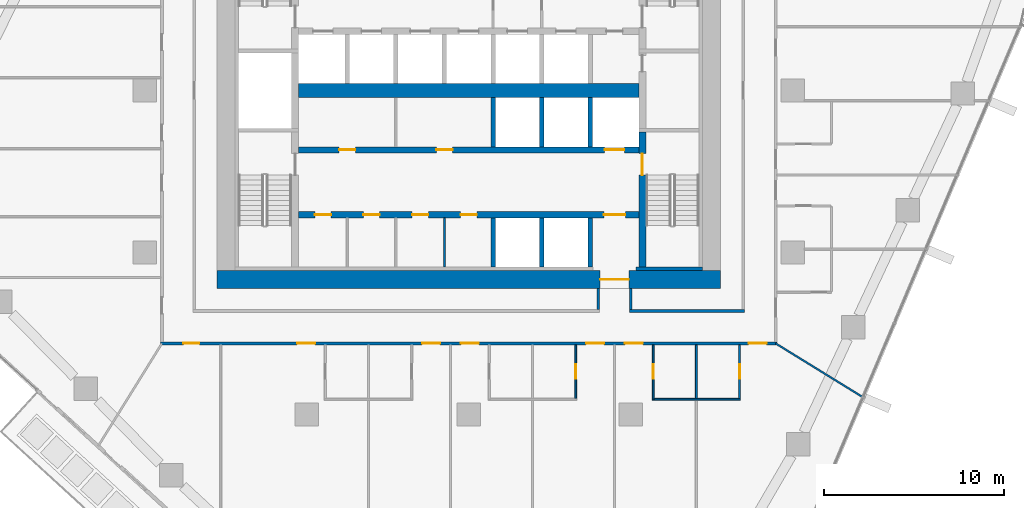
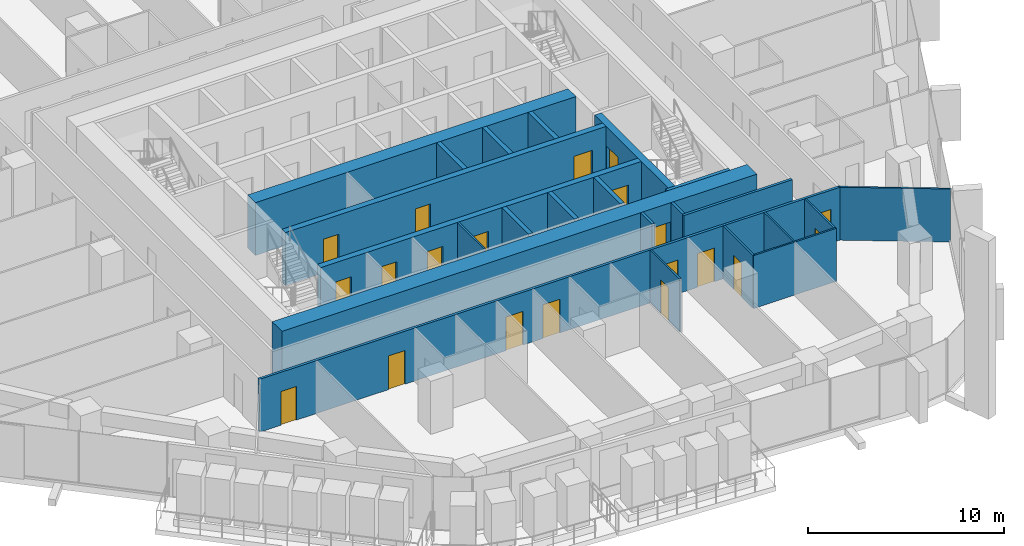
# One storey, part 13 of 24: 23 walls, 20 doors, 20 openings.
"""IFC4 building model written with IfcOpenShell, lengths in metres."""

import ifcopenshell
import ifcopenshell.guid

model = None  # the IFC model being written
_history = None  # IfcOwnerHistory: only IFC2X3 demands one
_inside = {}  # id of a spatial element -> (the spatial element, [elements in it])
_under = {}  # id of a project, library or spatial element -> (it, [spatial elements below it])
_declared = {}  # id of a project -> (the project, [libraries it declares])
_typed = {}  # id of a type object -> (the type object, [elements of that type])
_made_of = {}  # id of a material, layer set ... -> (it, [elements and type objects made of it])


def new_model(schema):
    """Start an empty IFC model of exactly this schema.

    Asked for "IFC4X3", IfcOpenShell would pick the latest addendum, in which some entities
    have other attributes; the version numbers below select the first issue.
    IFC2X3 requires an IfcOwnerHistory on every rooted entity: one is made here for all.
    """
    global model, _history
    if schema == "IFC4X3":
        model = ifcopenshell.file(schema_version=(4, 3, 0, 0))
    else:
        model = ifcopenshell.file(schema=schema)
    _inside.clear()
    _under.clear()
    _declared.clear()
    _typed.clear()
    _made_of.clear()
    _history = None
    if model.schema == "IFC2X3":
        org = make("IfcOrganization", Name="unknown")
        user = make(
            "IfcPersonAndOrganization",
            ThePerson=make("IfcPerson", FamilyName="unknown"),
            TheOrganization=org,
        )
        app = make(
            "IfcApplication",
            ApplicationDeveloper=org,
            Version="unknown",
            ApplicationFullName="unknown",
            ApplicationIdentifier="unknown",
        )
        _history = make(
            "IfcOwnerHistory",
            OwningUser=user,
            OwningApplication=app,
            ChangeAction="ADDED",
            CreationDate=0,
        )
    return model


def make(cls, **values):
    """One entity of the class cls with the attributes given. An attribute that is None is left unset."""
    return model.create_entity(
        cls, **{name: value for name, value in values.items() if value is not None}
    )


def rooted(cls, **values):
    """An entity with a GlobalId (a new one), such as an element, a storey or a relation."""
    return make(cls, GlobalId=ifcopenshell.guid.new(), OwnerHistory=_history, **values)


def si_unit(unit_type, name, prefix=None):
    """IfcSIUnit, for example si_unit("LENGTHUNIT", "METRE", prefix="MILLI")."""
    return make("IfcSIUnit", UnitType=unit_type, Prefix=prefix, Name=name)


def assignment(units):
    """IfcUnitAssignment: the units of a project."""
    return None if units is None else make("IfcUnitAssignment", Units=units)


def point(xyz):
    """IfcCartesianPoint."""
    return None if xyz is None else make("IfcCartesianPoint", Coordinates=xyz)


def direction(xyz):
    """IfcDirection."""
    return None if xyz is None else make("IfcDirection", DirectionRatios=xyz)


def frame(location, z_axis=None, x_axis=None):
    """IfcAxis2Placement3D, a coordinate frame: its origin and axes. An axis left out is left unset."""
    return make(
        "IfcAxis2Placement3D",
        Location=point(location),
        Axis=direction(z_axis),
        RefDirection=direction(x_axis),
    )


def frame_2d(location, x_axis=None):
    """IfcAxis2Placement2D, a coordinate frame in the plane: its origin and x axis."""
    return make(
        "IfcAxis2Placement2D", Location=point(location), RefDirection=direction(x_axis)
    )


def origin():
    """The frame at (0, 0, 0) with its axes left unset."""
    return frame((0.0, 0.0, 0.0))


def place(relative_to, where):
    """IfcLocalPlacement: puts the frame where relative to a parent placement (None: the world)."""
    return make(
        "IfcLocalPlacement", PlacementRelTo=relative_to, RelativePlacement=where
    )


def context(
    kind, dimensions, precision=None, world=None, true_north=None, identifier=None
):
    """IfcGeometricRepresentationContext, for example the 3D "Model" context."""
    return make(
        "IfcGeometricRepresentationContext",
        ContextIdentifier=identifier,
        ContextType=kind,
        CoordinateSpaceDimension=dimensions,
        Precision=precision,
        WorldCoordinateSystem=world,
        TrueNorth=true_north,
    )


def subcontext(parent, identifier, kind, view, scale=None):
    """IfcGeometricRepresentationSubContext, for example "Body" below "Model"."""
    return make(
        "IfcGeometricRepresentationSubContext",
        ContextIdentifier=identifier,
        ContextType=kind,
        ParentContext=parent,
        TargetScale=scale,
        TargetView=view,
    )


def project(units=None, contexts=None):
    """IfcProject with its units and contexts."""
    return rooted(
        "IfcProject",
        Name="project",
        RepresentationContexts=contexts,
        UnitsInContext=assignment(units),
    )


def spatial(cls, under=None, at=None, **own):
    """A site, building, storey or space (cls), placed at a placement, below another one or the project."""
    s = rooted(cls, ObjectPlacement=at, **own)
    if under is not None:
        _under.setdefault(under.id(), (under, []))[1].append(s)
    return s


def profile(cls, at=None, kind="AREA", **sizes):
    """A parametric profile (cls). Its sizes go by their IFC names, for example OverallWidth=200.0."""
    return make(cls, ProfileType=kind, Position=at, **sizes)


def rectangle(**sizes):
    """IfcRectangleProfileDef."""
    return profile("IfcRectangleProfileDef", **sizes)


def extrude(swept, where, along, depth):
    """IfcExtrudedAreaSolid: the profile swept, set in the frame where, extruded along a direction by depth."""
    return make(
        "IfcExtrudedAreaSolid",
        SweptArea=swept,
        Position=where,
        ExtrudedDirection=direction(along),
        Depth=depth,
    )


def shape(context_of_items, identifier, shape_type, items):
    """IfcShapeRepresentation: the items that make up one representation, for example the "Body"."""
    return make(
        "IfcShapeRepresentation",
        ContextOfItems=context_of_items,
        RepresentationIdentifier=identifier,
        RepresentationType=shape_type,
        Items=items,
    )


def material(Name=None, Category=None):
    """IfcMaterial."""
    return make("IfcMaterial", Name=Name, Category=Category)


def layer(
    of_material, thickness, ventilated=None, Name=None, Category=None, Priority=None
):
    """IfcMaterialLayer: one layer of a wall or slab, of a material (None: an air gap)."""
    return make(
        "IfcMaterialLayer",
        Material=of_material,
        LayerThickness=thickness,
        IsVentilated=ventilated,
        Name=Name,
        Category=Category,
        Priority=Priority,
    )


def layer_set(layers, Name=None):
    """IfcMaterialLayerSet."""
    return make("IfcMaterialLayerSet", MaterialLayers=layers, LayerSetName=Name)


def made_of(thing, what):
    """Note that an element or type object is made of a material, layer set ...; save() writes the relation."""
    if what is not None:
        _made_of.setdefault(what.id(), (what, []))[1].append(thing)
    return thing


def type_object(cls, material=None, **own):
    """A type object (cls), such as IfcWallType, which elements share."""
    return made_of(rooted(cls, **own), material)


def element(
    cls,
    number,
    at=None,
    inside=None,
    cuts=None,
    type_object=None,
    material=None,
    context=None,
    identifier="Body",
    shape_type=None,
    held_by="IfcProductDefinitionShape",
    body=None,
    shapes=None,
    **own,
):
    """One element of the class cls, such as IfcWall. Its Tag is "e" and its number.

    at: its placement. inside: the storey or other place that contains it. cuts: it is an
    opening in that element (IfcRelVoidsElement). A single representation is given by context,
    identifier, shape_type and body (its items); several are given by shapes. held_by: the class
    of the entity that holds the representations. save() writes the other relations.
    """
    e = rooted(cls, Tag="e%d" % number, ObjectPlacement=at, **own)
    if body is not None:
        shapes = [shape(context, identifier, shape_type, body)]
    if shapes is not None:
        e.Representation = make(held_by, Representations=shapes)
    if inside is not None:
        _inside.setdefault(inside.id(), (inside, []))[1].append(e)
    if cuts is not None:
        rooted(
            "IfcRelVoidsElement", RelatingBuildingElement=cuts, RelatedOpeningElement=e
        )
    if type_object is not None:
        _typed.setdefault(type_object.id(), (type_object, []))[1].append(e)
    return made_of(e, material)


def fill(opening, filler):
    """IfcRelFillsElement: the door or window that sits in an opening."""
    return rooted(
        "IfcRelFillsElement",
        RelatingOpeningElement=opening,
        RelatedBuildingElement=filler,
    )


def aggregate(whole, parts):
    """IfcRelAggregates: a whole, such as a stair, and the parts it consists of."""
    return rooted("IfcRelAggregates", RelatingObject=whole, RelatedObjects=parts)


def save(model, path):
    """Write the relations noted so far, then the file.

    IfcRelAggregates (storeys below a building ...), IfcRelContainedInSpatialStructure (elements
    in a storey), IfcRelDefinesByType, IfcRelAssociatesMaterial and IfcRelDeclares: one each for
    every whole, place, type object, material and project.
    """
    for whole, parts in _under.values():
        aggregate(whole, parts)
    for where, things in _inside.values():
        rooted(
            "IfcRelContainedInSpatialStructure",
            RelatedElements=things,
            RelatingStructure=where,
        )
    for kind, things in _typed.values():
        rooted("IfcRelDefinesByType", RelatedObjects=things, RelatingType=kind)
    for what, things in _made_of.values():
        rooted("IfcRelAssociatesMaterial", RelatedObjects=things, RelatingMaterial=what)
    for by, libraries in _declared.values():
        rooted("IfcRelDeclares", RelatingContext=by, RelatedDefinitions=libraries)
    model.write(path)


model = new_model("IFC4")

# Units and contexts
model_context = context("Model", 3, precision=1e-05, world=origin(), true_north=direction((0.0, 1.0)))
body_context = subcontext(model_context, "Body", "Model", "MODEL_VIEW")
ifc_project = project(units=[si_unit("LENGTHUNIT", "METRE"), si_unit("AREAUNIT", "SQUARE_METRE"), si_unit("VOLUMEUNIT", "CUBIC_METRE"), si_unit("PLANEANGLEUNIT", "RADIAN"), si_unit("MASSUNIT", "GRAM", prefix="KILO")], contexts=[model_context])

# Site, building, storey
site_placement = place(None, origin())
site = spatial("IfcSite", under=ifc_project, at=site_placement, CompositionType="ELEMENT")
building_placement = place(site_placement, origin())
building = spatial("IfcBuilding", under=site, at=building_placement, Name="Dongbaek Canopy Tower", CompositionType="ELEMENT")
storey_placement = place(building_placement, frame((0.0, 0.0, 117.39990234375)))
storey = spatial("IfcBuildingStorey", under=building, at=storey_placement, Name="L25", CompositionType="ELEMENT", Elevation=117.39990234375)

# Wall
ifc_material_1 = material(Name="Concrete C60/75", Category="concrete")
ifc_layer_1 = layer(ifc_material_1, 0.800048828125)
ifc_layer_set_1 = layer_set([ifc_layer_1], Name="Core central wall 800 Concrete C60/75")
wall_type_1 = type_object("IfcWallType", Name="Core central wall 800 Concrete C60/75", PredefinedType="SHEAR", material=ifc_layer_set_1)
wall_1_placement = place(storey_placement, frame((-9.449951171875, 0.0, 0.0), z_axis=(0.0, 0.0, 1.0), x_axis=(1.0, 0.0, 0.0)))
element("IfcWall", 1, at=wall_1_placement, inside=storey, type_object=wall_type_1, Name="Core wall", PredefinedType="SHEAR", context=body_context, shape_type="SweptSolid", body=[
    extrude(rectangle(XDim=18.89990234375, YDim=0.800048828125, at=frame_2d((9.449951171875, 0.0))), origin(), (0.0, 0.0, 1.0), 3.300048828125),
])

# Wall, openings, doors
ifc_material_2 = material(Name="Concrete C60/75", Category="concrete")
ifc_layer_2 = layer(ifc_material_2, 0.35009765625)
ifc_layer_set_2 = layer_set([ifc_layer_2], Name="Core lobby wall 350 Concrete C60/75")
wall_type_2 = type_object("IfcWallType", Name="Core lobby wall 350 Concrete C60/75", PredefinedType="SHEAR", material=ifc_layer_set_2)
wall_2_placement = place(storey_placement, frame((-9.449951171875, -3.300048828125, 0.0), z_axis=(0.0, 0.0, 1.0), x_axis=(1.0, 0.0, 0.0)))
wall_2 = element("IfcWall", 2, at=wall_2_placement, inside=storey, type_object=wall_type_2, Name="Core wall", PredefinedType="SHEAR", context=body_context, shape_type="SweptSolid", body=[
    extrude(rectangle(XDim=18.89990234375, YDim=0.35009765625, at=frame_2d((9.449951171875, 0.0))), origin(), (0.0, 0.0, 1.0), 3.300048828125),
])
opening_1_placement = place(wall_2_placement, frame((17.0, 0.0, 0.0)))
opening_1 = element("IfcOpeningElement", 3, at=opening_1_placement, cuts=wall_2, Name="Opening L25-D059", PredefinedType="OPENING", context=body_context, shape_type="SweptSolid", body=[
    extrude(rectangle(XDim=1.10009765625, YDim=2.10009765625, at=frame_2d((0.550048828125, 1.050048828125))), frame((0.0, 0.18505859375, 0.0), z_axis=(0.0, -1.0, 0.0), x_axis=(1.0, 0.0, 0.0)), (0.0, 0.0, 1.0), 0.3701171875),
])
opening_2_placement = place(wall_2_placement, frame((2.25, 0.0, 0.0)))
opening_2 = element("IfcOpeningElement", 4, at=opening_2_placement, cuts=wall_2, Name="Opening L25-D062", PredefinedType="OPENING", context=body_context, shape_type="SweptSolid", body=[
    extrude(rectangle(XDim=0.89990234375, YDim=2.10009765625, at=frame_2d((0.449951171875, 1.050048828125))), frame((0.0, 0.18505859375, 0.0), z_axis=(0.0, -1.0, 0.0), x_axis=(1.0, 0.0, 0.0)), (0.0, 0.0, 1.0), 0.3701171875),
])
opening_3_placement = place(wall_2_placement, frame((7.64990234375, 0.0, 0.0)))
opening_3 = element("IfcOpeningElement", 5, at=opening_3_placement, cuts=wall_2, Name="Opening L25-D063", PredefinedType="OPENING", context=body_context, shape_type="SweptSolid", body=[
    extrude(rectangle(XDim=0.89990234375, YDim=2.10009765625, at=frame_2d((0.449951171875, 1.050048828125))), frame((0.0, 0.18505859375, 0.0), z_axis=(0.0, -1.0, 0.0), x_axis=(1.0, 0.0, 0.0)), (0.0, 0.0, 1.0), 0.3701171875),
])
ifc_material_3 = material(Name="Steel", Category="steel")
door_type_1 = type_object("IfcDoorType", Name="Core room door 900 x 2100", OperationType="SINGLE_SWING_LEFT", PredefinedType="DOOR", material=ifc_material_3)
door_1_placement = place(opening_2_placement, origin())
door_1 = element("IfcDoor", 6, at=door_1_placement, inside=storey, type_object=door_type_1, Name="Door L25-D062", OperationType="SINGLE_SWING_RIGHT", OverallHeight=2.10009765625, OverallWidth=0.89990234375, PredefinedType="DOOR", context=body_context, shape_type="SweptSolid", body=[
    extrude(rectangle(XDim=0.89990234375, YDim=2.10009765625, at=frame_2d((0.449951171875, 1.050048828125))), frame((0.0, 0.02490234375, 0.0), z_axis=(0.0, -1.0, 0.0), x_axis=(1.0, 0.0, 0.0)), (0.0, 0.0, 1.0), 0.050048828125),
])
fill(opening_2, door_1)
door_2_placement = place(opening_3_placement, origin())
door_2 = element("IfcDoor", 7, at=door_2_placement, inside=storey, type_object=door_type_1, Name="Door L25-D063", OperationType="SINGLE_SWING_LEFT", OverallHeight=2.10009765625, OverallWidth=0.89990234375, PredefinedType="DOOR", context=body_context, shape_type="SweptSolid", body=[
    extrude(rectangle(XDim=0.89990234375, YDim=2.10009765625, at=frame_2d((0.449951171875, 1.050048828125))), frame((0.0, 0.02490234375, 0.0), z_axis=(0.0, -1.0, 0.0), x_axis=(1.0, 0.0, 0.0)), (0.0, 0.0, 1.0), 0.050048828125),
])
fill(opening_3, door_2)
ifc_material_4 = material(Name="Stainless steel", Category="steel")
door_type_2 = type_object("IfcDoorType", Name="Lift landing door 1100 x 2100", OperationType="DOUBLE_DOOR_SLIDING", PredefinedType="DOOR", material=ifc_material_4)
door_3_placement = place(opening_1_placement, origin())
door_3 = element("IfcDoor", 8, at=door_3_placement, inside=storey, type_object=door_type_2, Name="Landing door SV2", OperationType="DOUBLE_DOOR_SLIDING", OverallHeight=2.10009765625, OverallWidth=1.10009765625, PredefinedType="DOOR", context=body_context, shape_type="SweptSolid", body=[
    extrude(rectangle(XDim=1.10009765625, YDim=2.10009765625, at=frame_2d((0.550048828125, 1.050048828125))), frame((0.0, 0.02490234375, 0.0), z_axis=(0.0, -1.0, 0.0), x_axis=(1.0, 0.0, 0.0)), (0.0, 0.0, 1.0), 0.050048828125),
])
fill(opening_1, door_3)

wall_3_placement = place(storey_placement, frame((9.449951171875, -6.89990234375, 0.0), z_axis=(0.0, 0.0, 1.0), x_axis=(-1.0, 0.0, 0.0)))
wall_3 = element("IfcWall", 9, at=wall_3_placement, inside=storey, type_object=wall_type_2, Name="Core wall", PredefinedType="SHEAR", context=body_context, shape_type="SweptSolid", body=[
    extrude(rectangle(XDim=18.89990234375, YDim=0.35009765625, at=frame_2d((9.449951171875, 0.0))), origin(), (0.0, 0.0, 1.0), 3.300048828125),
])
opening_4_placement = place(wall_3_placement, frame((0.75, 0.0, 0.0)))
opening_4 = element("IfcOpeningElement", 10, at=opening_4_placement, cuts=wall_3, Name="Opening L25-D061", PredefinedType="OPENING", context=body_context, shape_type="SweptSolid", body=[
    extrude(rectangle(XDim=1.199951171875, YDim=2.10009765625, at=frame_2d((0.60009765625, 1.050048828125))), frame((0.0, 0.18505859375, 0.0), z_axis=(0.0, -1.0, 0.0), x_axis=(1.0, 0.0, 0.0)), (0.0, 0.0, 1.0), 0.3701171875),
])
opening_5_placement = place(wall_3_placement, frame((17.10009765625, 0.0, 0.0)))
opening_5 = element("IfcOpeningElement", 11, at=opening_5_placement, cuts=wall_3, Name="Opening L25-D064", PredefinedType="OPENING", context=body_context, shape_type="SweptSolid", body=[
    extrude(rectangle(XDim=0.89990234375, YDim=2.10009765625, at=frame_2d((0.449951171875, 1.050048828125))), frame((0.0, 0.18505859375, 0.0), z_axis=(0.0, -1.0, 0.0), x_axis=(1.0, 0.0, 0.0)), (0.0, 0.0, 1.0), 0.3701171875),
])
opening_6_placement = place(wall_3_placement, frame((14.39990234375, 0.0, 0.0)))
opening_6 = element("IfcOpeningElement", 12, at=opening_6_placement, cuts=wall_3, Name="Opening L25-D065", PredefinedType="OPENING", context=body_context, shape_type="SweptSolid", body=[
    extrude(rectangle(XDim=0.89990234375, YDim=2.10009765625, at=frame_2d((0.449951171875, 1.050048828125))), frame((0.0, 0.18505859375, 0.0), z_axis=(0.0, -1.0, 0.0), x_axis=(1.0, 0.0, 0.0)), (0.0, 0.0, 1.0), 0.3701171875),
])
opening_7_placement = place(wall_3_placement, frame((11.699951171875, 0.0, 0.0)))
opening_7 = element("IfcOpeningElement", 13, at=opening_7_placement, cuts=wall_3, Name="Opening L25-D066", PredefinedType="OPENING", context=body_context, shape_type="SweptSolid", body=[
    extrude(rectangle(XDim=0.89990234375, YDim=2.10009765625, at=frame_2d((0.449951171875, 1.050048828125))), frame((0.0, 0.18505859375, 0.0), z_axis=(0.0, -1.0, 0.0), x_axis=(1.0, 0.0, 0.0)), (0.0, 0.0, 1.0), 0.3701171875),
])
opening_8_placement = place(wall_3_placement, frame((9.0, 0.0, 0.0)))
opening_8 = element("IfcOpeningElement", 14, at=opening_8_placement, cuts=wall_3, Name="Opening L25-D067", PredefinedType="OPENING", context=body_context, shape_type="SweptSolid", body=[
    extrude(rectangle(XDim=0.89990234375, YDim=2.10009765625, at=frame_2d((0.449951171875, 1.050048828125))), frame((0.0, 0.18505859375, 0.0), z_axis=(0.0, -1.0, 0.0), x_axis=(1.0, 0.0, 0.0)), (0.0, 0.0, 1.0), 0.3701171875),
])
door_4_placement = place(opening_5_placement, origin())
door_4 = element("IfcDoor", 15, at=door_4_placement, inside=storey, type_object=door_type_1, Name="Door L25-D064", OperationType="SINGLE_SWING_RIGHT", OverallHeight=2.10009765625, OverallWidth=0.89990234375, PredefinedType="DOOR", context=body_context, shape_type="SweptSolid", body=[
    extrude(rectangle(XDim=0.89990234375, YDim=2.10009765625, at=frame_2d((0.449951171875, 1.050048828125))), frame((0.0, 0.02490234375, 0.0), z_axis=(0.0, -1.0, 0.0), x_axis=(1.0, 0.0, 0.0)), (0.0, 0.0, 1.0), 0.050048828125),
])
fill(opening_5, door_4)
door_5_placement = place(opening_6_placement, origin())
door_5 = element("IfcDoor", 16, at=door_5_placement, inside=storey, type_object=door_type_1, Name="Door L25-D065", OperationType="SINGLE_SWING_LEFT", OverallHeight=2.10009765625, OverallWidth=0.89990234375, PredefinedType="DOOR", context=body_context, shape_type="SweptSolid", body=[
    extrude(rectangle(XDim=0.89990234375, YDim=2.10009765625, at=frame_2d((0.449951171875, 1.050048828125))), frame((0.0, 0.02490234375, 0.0), z_axis=(0.0, -1.0, 0.0), x_axis=(1.0, 0.0, 0.0)), (0.0, 0.0, 1.0), 0.050048828125),
])
fill(opening_6, door_5)
door_6_placement = place(opening_7_placement, origin())
door_6 = element("IfcDoor", 17, at=door_6_placement, inside=storey, type_object=door_type_1, Name="Door L25-D066", OperationType="SINGLE_SWING_RIGHT", OverallHeight=2.10009765625, OverallWidth=0.89990234375, PredefinedType="DOOR", context=body_context, shape_type="SweptSolid", body=[
    extrude(rectangle(XDim=0.89990234375, YDim=2.10009765625, at=frame_2d((0.449951171875, 1.050048828125))), frame((0.0, 0.02490234375, 0.0), z_axis=(0.0, -1.0, 0.0), x_axis=(1.0, 0.0, 0.0)), (0.0, 0.0, 1.0), 0.050048828125),
])
fill(opening_7, door_6)
door_7_placement = place(opening_8_placement, origin())
door_7 = element("IfcDoor", 18, at=door_7_placement, inside=storey, type_object=door_type_1, Name="Door L25-D067", OperationType="SINGLE_SWING_LEFT", OverallHeight=2.10009765625, OverallWidth=0.89990234375, PredefinedType="DOOR", context=body_context, shape_type="SweptSolid", body=[
    extrude(rectangle(XDim=0.89990234375, YDim=2.10009765625, at=frame_2d((0.449951171875, 1.050048828125))), frame((0.0, 0.02490234375, 0.0), z_axis=(0.0, -1.0, 0.0), x_axis=(1.0, 0.0, 0.0)), (0.0, 0.0, 1.0), 0.050048828125),
])
fill(opening_8, door_7)
ifc_material_5 = material(Name="Steel", Category="steel")
door_type_3 = type_object("IfcDoorType", Name="Fire lobby door 1200 x 2100", OperationType="SINGLE_SWING_LEFT", PredefinedType="DOOR", material=ifc_material_5)
door_8_placement = place(opening_4_placement, origin())
door_8 = element("IfcDoor", 19, at=door_8_placement, inside=storey, type_object=door_type_3, Name="Door L25-D061", OperationType="SINGLE_SWING_LEFT", OverallHeight=2.10009765625, OverallWidth=1.199951171875, PredefinedType="DOOR", context=body_context, shape_type="SweptSolid", body=[
    extrude(rectangle(XDim=1.199951171875, YDim=2.10009765625, at=frame_2d((0.60009765625, 1.050048828125))), frame((0.0, 0.02490234375, 0.0), z_axis=(0.0, -1.0, 0.0), x_axis=(1.0, 0.0, 0.0)), (0.0, 0.0, 1.0), 0.050048828125),
])
fill(opening_4, door_8)

# Wall, opening, door
ifc_material_6 = material(Name="Concrete C60/75", Category="concrete")
ifc_layer_3 = layer(ifc_material_6, 1.0)
ifc_layer_set_3 = layer_set([ifc_layer_3], Name="Core outer wall 1000 Concrete C60/75")
wall_type_3 = type_object("IfcWallType", Name="Core outer wall 1000 Concrete C60/75", PredefinedType="SHEAR", material=ifc_layer_set_3)
wall_4_placement = place(storey_placement, frame((14.0, -10.5, 0.0), z_axis=(0.0, 0.0, 1.0), x_axis=(-1.0, 0.0, 0.0)))
wall_4 = element("IfcWall", 20, at=wall_4_placement, inside=storey, type_object=wall_type_3, Name="Core wall", PredefinedType="SHEAR", context=body_context, shape_type="SweptSolid", body=[
    extrude(rectangle(XDim=28.0, YDim=1.0, at=frame_2d((14.0, 0.0))), origin(), (0.0, 0.0, 1.0), 3.300048828125),
])
opening_9_placement = place(wall_4_placement, frame((5.10009765625, 0.0, 0.0)))
opening_9 = element("IfcOpeningElement", 21, at=opening_9_placement, cuts=wall_4, Name="Opening L25-D060", PredefinedType="OPENING", context=body_context, shape_type="SweptSolid", body=[
    extrude(rectangle(XDim=1.60009765625, YDim=2.10009765625, at=frame_2d((0.800048828125, 1.050048828125))), frame((0.0, 0.510009765625, 0.0), z_axis=(0.0, -1.0, 0.0), x_axis=(1.0, 0.0, 0.0)), (0.0, 0.0, 1.0), 1.02001953125),
])
ifc_material_7 = material(Name="Steel", Category="steel")
door_type_4 = type_object("IfcDoorType", Name="Core exit door 1600 x 2100", OperationType="DOUBLE_DOOR_SINGLE_SWING", PredefinedType="DOOR", material=ifc_material_7)
door_9_placement = place(opening_9_placement, origin())
door_9 = element("IfcDoor", 22, at=door_9_placement, inside=storey, type_object=door_type_4, Name="Core exit door", OperationType="DOUBLE_DOOR_SINGLE_SWING", OverallHeight=2.10009765625, OverallWidth=1.60009765625, PredefinedType="DOOR", context=body_context, shape_type="SweptSolid", body=[
    extrude(rectangle(XDim=1.60009765625, YDim=2.10009765625, at=frame_2d((0.800048828125, 1.050048828125))), frame((0.0, 0.02490234375, 0.0), z_axis=(0.0, -1.0, 0.0), x_axis=(1.0, 0.0, 0.0)), (0.0, 0.0, 1.0), 0.050048828125),
])
fill(opening_9, door_9)

# Wall
ifc_material_8 = material(Name="Concrete C60/75", Category="concrete")
ifc_layer_4 = layer(ifc_material_8, 0.199951171875)
ifc_layer_set_4 = layer_set([ifc_layer_4], Name="Core wall lining 200 Concrete C60/75")
wall_type_4 = type_object("IfcWallType", Name="Core wall lining 200 Concrete C60/75", PredefinedType="SHEAR", material=ifc_layer_set_4)
wall_5_placement = place(storey_placement, frame((13.0, -9.89990234375, 0.0), z_axis=(0.0, 0.0, 1.0), x_axis=(-1.0, 0.0, 0.0)))
element("IfcWall", 23, at=wall_5_placement, inside=storey, type_object=wall_type_4, Name="Core wall lining", PredefinedType="SHEAR", context=body_context, shape_type="SweptSolid", body=[
    extrude(rectangle(XDim=3.699951171875, YDim=0.199951171875, at=frame_2d((1.85009765625, 0.0))), origin(), (0.0, 0.0, 1.0), 3.300048828125),
])

# Wall, openings, doors
ifc_material_9 = material(Name="Gypsum board partition, steel stud, 2 x 15 mm fire board", Category="steel")
ifc_layer_5 = layer(ifc_material_9, 0.14990234375)
ifc_layer_set_5 = layer_set([ifc_layer_5], Name="Fire-rated partition 150 gypsum board")
wall_type_5 = type_object("IfcWallType", Name="Fire-rated partition 150 gypsum board", PredefinedType="PARTITIONING", material=ifc_layer_set_5)
wall_6_placement = place(storey_placement, frame((17.125, -14.050048828125, 0.0), z_axis=(0.0, 0.0, 1.0), x_axis=(-1.0, 0.0, 0.0)))
wall_6 = element("IfcWall", 24, at=wall_6_placement, inside=storey, type_object=wall_type_5, Name="Corridor partition", PredefinedType="PARTITIONING", context=body_context, shape_type="SweptSolid", body=[
    extrude(rectangle(XDim=34.25, YDim=0.14990234375, at=frame_2d((17.125, 0.0))), origin(), (0.0, 0.0, 1.0), 3.300048828125),
])
opening_10_placement = place(wall_6_placement, frame((32.088623046875, 0.0, 0.0)))
opening_10 = element("IfcOpeningElement", 25, at=opening_10_placement, cuts=wall_6, Name="Opening L25-D004", PredefinedType="OPENING", context=body_context, shape_type="SweptSolid", body=[
    extrude(rectangle(XDim=0.89990234375, YDim=2.10009765625, at=frame_2d((0.449951171875, 1.050048828125))), frame((0.0, 0.0849609375, 0.0), z_axis=(0.0, -1.0, 0.0), x_axis=(1.0, 0.0, 0.0)), (0.0, 0.0, 1.0), 0.169921875),
])
opening_11_placement = place(wall_6_placement, frame((25.666015625, 0.0, 0.0)))
opening_11 = element("IfcOpeningElement", 26, at=opening_11_placement, cuts=wall_6, Name="Opening L25-D006", PredefinedType="OPENING", context=body_context, shape_type="SweptSolid", body=[
    extrude(rectangle(XDim=1.0, YDim=2.10009765625, at=frame_2d((0.5, 1.050048828125))), frame((0.0, 0.0849609375, 0.0), z_axis=(0.0, -1.0, 0.0), x_axis=(1.0, 0.0, 0.0)), (0.0, 0.0, 1.0), 0.169921875),
])
opening_12_placement = place(wall_6_placement, frame((18.714111328125, 0.0, 0.0)))
opening_12 = element("IfcOpeningElement", 27, at=opening_12_placement, cuts=wall_6, Name="Opening L25-D008", PredefinedType="OPENING", context=body_context, shape_type="SweptSolid", body=[
    extrude(rectangle(XDim=1.0, YDim=2.10009765625, at=frame_2d((0.5, 1.050048828125))), frame((0.0, 0.0849609375, 0.0), z_axis=(0.0, -1.0, 0.0), x_axis=(1.0, 0.0, 0.0)), (0.0, 0.0, 1.0), 0.169921875),
])
opening_13_placement = place(wall_6_placement, frame((16.557861328125, 0.0, 0.0)))
opening_13 = element("IfcOpeningElement", 28, at=opening_13_placement, cuts=wall_6, Name="Opening L25-D010", PredefinedType="OPENING", context=body_context, shape_type="SweptSolid", body=[
    extrude(rectangle(XDim=1.0, YDim=2.10009765625, at=frame_2d((0.5, 1.050048828125))), frame((0.0, 0.0849609375, 0.0), z_axis=(0.0, -1.0, 0.0), x_axis=(1.0, 0.0, 0.0)), (0.0, 0.0, 1.0), 0.169921875),
])
opening_14_placement = place(wall_6_placement, frame((9.601806640625, 0.0, 0.0)))
opening_14 = element("IfcOpeningElement", 29, at=opening_14_placement, cuts=wall_6, Name="Opening L25-D012", PredefinedType="OPENING", context=body_context, shape_type="SweptSolid", body=[
    extrude(rectangle(XDim=1.0, YDim=2.10009765625, at=frame_2d((0.5, 1.050048828125))), frame((0.0, 0.0849609375, 0.0), z_axis=(0.0, -1.0, 0.0), x_axis=(1.0, 0.0, 0.0)), (0.0, 0.0, 1.0), 0.169921875),
])
opening_15_placement = place(wall_6_placement, frame((7.45068359375, 0.0, 0.0)))
opening_15 = element("IfcOpeningElement", 30, at=opening_15_placement, cuts=wall_6, Name="Opening L25-D014", PredefinedType="OPENING", context=body_context, shape_type="SweptSolid", body=[
    extrude(rectangle(XDim=1.0, YDim=2.10009765625, at=frame_2d((0.5, 1.050048828125))), frame((0.0, 0.0849609375, 0.0), z_axis=(0.0, -1.0, 0.0), x_axis=(1.0, 0.0, 0.0)), (0.0, 0.0, 1.0), 0.169921875),
])
opening_16_placement = place(wall_6_placement, frame((0.576416015625, 0.0, 0.0)))
opening_16 = element("IfcOpeningElement", 31, at=opening_16_placement, cuts=wall_6, Name="Opening L25-D016", PredefinedType="OPENING", context=body_context, shape_type="SweptSolid", body=[
    extrude(rectangle(XDim=1.0, YDim=2.10009765625, at=frame_2d((0.5, 1.050048828125))), frame((0.0, 0.0849609375, 0.0), z_axis=(0.0, -1.0, 0.0), x_axis=(1.0, 0.0, 0.0)), (0.0, 0.0, 1.0), 0.169921875),
])
ifc_material_10 = material(Name="Timber veneered door leaf", Category="wood")
door_type_5 = type_object("IfcDoorType", Name="Guest room door 1000 x 2100", OperationType="SINGLE_SWING_LEFT", PredefinedType="DOOR", material=ifc_material_10)
door_10_placement = place(opening_11_placement, origin())
door_10 = element("IfcDoor", 32, at=door_10_placement, inside=storey, type_object=door_type_5, Name="Door L25-D006", OperationType="SINGLE_SWING_LEFT", OverallHeight=2.10009765625, OverallWidth=1.0, PredefinedType="DOOR", context=body_context, shape_type="SweptSolid", body=[
    extrude(rectangle(XDim=1.0, YDim=2.10009765625, at=frame_2d((0.5, 1.050048828125))), frame((0.0, 0.02490234375, 0.0), z_axis=(0.0, -1.0, 0.0), x_axis=(1.0, 0.0, 0.0)), (0.0, 0.0, 1.0), 0.050048828125),
])
fill(opening_11, door_10)
door_11_placement = place(opening_12_placement, origin())
door_11 = element("IfcDoor", 33, at=door_11_placement, inside=storey, type_object=door_type_5, Name="Door L25-D008", OperationType="SINGLE_SWING_RIGHT", OverallHeight=2.10009765625, OverallWidth=1.0, PredefinedType="DOOR", context=body_context, shape_type="SweptSolid", body=[
    extrude(rectangle(XDim=1.0, YDim=2.10009765625, at=frame_2d((0.5, 1.050048828125))), frame((0.0, 0.02490234375, 0.0), z_axis=(0.0, -1.0, 0.0), x_axis=(1.0, 0.0, 0.0)), (0.0, 0.0, 1.0), 0.050048828125),
])
fill(opening_12, door_11)
door_12_placement = place(opening_13_placement, origin())
door_12 = element("IfcDoor", 34, at=door_12_placement, inside=storey, type_object=door_type_5, Name="Door L25-D010", OperationType="SINGLE_SWING_LEFT", OverallHeight=2.10009765625, OverallWidth=1.0, PredefinedType="DOOR", context=body_context, shape_type="SweptSolid", body=[
    extrude(rectangle(XDim=1.0, YDim=2.10009765625, at=frame_2d((0.5, 1.050048828125))), frame((0.0, 0.02490234375, 0.0), z_axis=(0.0, -1.0, 0.0), x_axis=(1.0, 0.0, 0.0)), (0.0, 0.0, 1.0), 0.050048828125),
])
fill(opening_13, door_12)
door_13_placement = place(opening_14_placement, origin())
door_13 = element("IfcDoor", 35, at=door_13_placement, inside=storey, type_object=door_type_5, Name="Door L25-D012", OperationType="SINGLE_SWING_RIGHT", OverallHeight=2.10009765625, OverallWidth=1.0, PredefinedType="DOOR", context=body_context, shape_type="SweptSolid", body=[
    extrude(rectangle(XDim=1.0, YDim=2.10009765625, at=frame_2d((0.5, 1.050048828125))), frame((0.0, 0.02490234375, 0.0), z_axis=(0.0, -1.0, 0.0), x_axis=(1.0, 0.0, 0.0)), (0.0, 0.0, 1.0), 0.050048828125),
])
fill(opening_14, door_13)
door_14_placement = place(opening_15_placement, origin())
door_14 = element("IfcDoor", 36, at=door_14_placement, inside=storey, type_object=door_type_5, Name="Door L25-D014", OperationType="SINGLE_SWING_LEFT", OverallHeight=2.10009765625, OverallWidth=1.0, PredefinedType="DOOR", context=body_context, shape_type="SweptSolid", body=[
    extrude(rectangle(XDim=1.0, YDim=2.10009765625, at=frame_2d((0.5, 1.050048828125))), frame((0.0, 0.02490234375, 0.0), z_axis=(0.0, -1.0, 0.0), x_axis=(1.0, 0.0, 0.0)), (0.0, 0.0, 1.0), 0.050048828125),
])
fill(opening_15, door_14)
door_15_placement = place(opening_16_placement, origin())
door_15 = element("IfcDoor", 37, at=door_15_placement, inside=storey, type_object=door_type_5, Name="Door L25-D016", OperationType="SINGLE_SWING_RIGHT", OverallHeight=2.10009765625, OverallWidth=1.0, PredefinedType="DOOR", context=body_context, shape_type="SweptSolid", body=[
    extrude(rectangle(XDim=1.0, YDim=2.10009765625, at=frame_2d((0.5, 1.050048828125))), frame((0.0, 0.02490234375, 0.0), z_axis=(0.0, -1.0, 0.0), x_axis=(1.0, 0.0, 0.0)), (0.0, 0.0, 1.0), 0.050048828125),
])
fill(opening_16, door_15)
ifc_material_11 = material(Name="Timber veneered door leaf", Category="wood")
door_type_6 = type_object("IfcDoorType", Name="Room door 900 x 2100", OperationType="SINGLE_SWING_LEFT", PredefinedType="DOOR", material=ifc_material_11)
door_16_placement = place(opening_10_placement, origin())
door_16 = element("IfcDoor", 38, at=door_16_placement, inside=storey, type_object=door_type_6, Name="Door L25-D004", OperationType="SINGLE_SWING_RIGHT", OverallHeight=2.10009765625, OverallWidth=0.89990234375, PredefinedType="DOOR", context=body_context, shape_type="SweptSolid", body=[
    extrude(rectangle(XDim=0.89990234375, YDim=2.10009765625, at=frame_2d((0.449951171875, 1.050048828125))), frame((0.0, 0.02490234375, 0.0), z_axis=(0.0, -1.0, 0.0), x_axis=(1.0, 0.0, 0.0)), (0.0, 0.0, 1.0), 0.050048828125),
])
fill(opening_10, door_16)

# Walls
wall_7_placement = place(storey_placement, frame((8.925048828125, -12.25, 0.0), z_axis=(0.0, 0.0, 1.0), x_axis=(1.0, 0.0, 0.0)))
element("IfcWall", 39, at=wall_7_placement, inside=storey, type_object=wall_type_5, Name="Corridor partition", PredefinedType="PARTITIONING", context=body_context, shape_type="SweptSolid", body=[
    extrude(rectangle(XDim=6.39990234375, YDim=0.14990234375, at=frame_2d((3.199951171875, 0.0))), origin(), (0.0, 0.0, 1.0), 3.300048828125),
])
for number, where, z_axis, x_axis, name in (
    (40, (9.0, -12.175048828125, 0.0), (0.0, 0.0, 1.0), (0.0, 1.0, 0.0), "Corridor partition"),
    (41, (7.199951171875, -12.175048828125, 0.0), (0.0, 0.0, 1.0), (0.0, 1.0, 0.0), "Corridor partition"),
):
    element("IfcWall", number, at=place(storey_placement, frame(where, z_axis=z_axis, x_axis=x_axis)), inside=storey, type_object=wall_type_5, Name=name, PredefinedType="PARTITIONING", context=body_context, shape_type="SweptSolid", body=[
        extrude(rectangle(XDim=1.175048828125, YDim=0.14990234375, at=frame_2d((0.58740234375, 0.0))), origin(), (0.0, 0.0, 1.0), 3.300048828125),
    ])
ifc_material_12 = material(Name="Concrete C40/50", Category="concrete")
ifc_layer_6 = layer(ifc_material_12, 0.25)
ifc_layer_set_6 = layer_set([ifc_layer_6], Name="Lift shaft wall 250 Concrete C40/50")
wall_type_6 = type_object("IfcWallType", Name="Lift shaft wall 250 Concrete C40/50", PredefinedType="SOLIDWALL", material=ifc_layer_set_6)
for number, where, z_axis, x_axis, name in (
    (42, (6.75, -9.800048828125, 0.0), (0.0, 0.0, 1.0), (0.0, 1.0, 0.0), "Lift shaft wall"),
    (43, (6.75, -3.125, 0.0), (0.0, 0.0, 1.0), (0.0, 1.0, 0.0), "Lift shaft wall"),
    (44, (4.050048828125, -9.800048828125, 0.0), (0.0, 0.0, 1.0), (0.0, 1.0, 0.0), "Lift shaft wall"),
    (45, (4.050048828125, -3.125, 0.0), (0.0, 0.0, 1.0), (0.0, 1.0, 0.0), "Lift shaft wall"),
    (46, (1.35009765625, -9.800048828125, 0.0), (0.0, 0.0, 1.0), (0.0, 1.0, 0.0), "Lift shaft wall"),
    (47, (1.35009765625, -3.125, 0.0), (0.0, 0.0, 1.0), (0.0, 1.0, 0.0), "Lift shaft wall"),
):
    element("IfcWall", number, at=place(storey_placement, frame(where, z_axis=z_axis, x_axis=x_axis)), inside=storey, type_object=wall_type_6, Name=name, PredefinedType="SOLIDWALL", context=body_context, shape_type="SweptSolid", body=[
        extrude(rectangle(XDim=2.72509765625, YDim=0.25, at=frame_2d((1.362548828125, 0.0))), origin(), (0.0, 0.0, 1.0), 3.300048828125),
    ])
ifc_material_13 = material(Name="Gypsum board partition, steel stud, 2 x 12.5 mm board", Category="steel")
ifc_layer_7 = layer(ifc_material_13, 0.10009765625)
ifc_layer_set_7 = layer_set([ifc_layer_7], Name="Partition 100 gypsum board")
wall_type_7 = type_object("IfcWallType", Name="Partition 100 gypsum board", PredefinedType="PARTITIONING", material=ifc_layer_set_7)
wall_8_placement = place(storey_placement, frame((10.197265625, -17.14990234375, 0.0), z_axis=(0.0, 0.0, 1.0), x_axis=(1.0, 0.0, 0.0)))
element("IfcWall", 48, at=wall_8_placement, inside=storey, type_object=wall_type_7, Name="Partition", PredefinedType="PARTITIONING", context=body_context, shape_type="SweptSolid", body=[
    extrude(rectangle(XDim=4.89990234375, YDim=0.10009765625, at=frame_2d((2.449951171875, 0.0))), origin(), (0.0, 0.0, 1.0), 3.300048828125),
])

# Wall, opening, door
wall_9_placement = place(storey_placement, frame((15.047119140625, -17.10009765625, 0.0), z_axis=(0.0, 0.0, 1.0), x_axis=(0.0, 1.0, 0.0)))
wall_9 = element("IfcWall", 49, at=wall_9_placement, inside=storey, type_object=wall_type_7, Name="Partition", PredefinedType="PARTITIONING", context=body_context, shape_type="SweptSolid", body=[
    extrude(rectangle(XDim=2.97509765625, YDim=0.10009765625, at=frame_2d((1.487548828125, 0.0))), origin(), (0.0, 0.0, 1.0), 3.300048828125),
])
opening_17_placement = place(wall_9_placement, frame((1.10009765625, 0.0, 0.0)))
opening_17 = element("IfcOpeningElement", 50, at=opening_17_placement, cuts=wall_9, Name="Opening L25-D015", PredefinedType="OPENING", context=body_context, shape_type="SweptSolid", body=[
    extrude(rectangle(XDim=0.800048828125, YDim=2.10009765625, at=frame_2d((0.39990234375, 1.050048828125))), frame((0.0, 0.06005859375, 0.0), z_axis=(0.0, -1.0, 0.0), x_axis=(1.0, 0.0, 0.0)), (0.0, 0.0, 1.0), 0.1201171875),
])
ifc_material_14 = material(Name="Timber veneered door leaf", Category="wood")
door_type_7 = type_object("IfcDoorType", Name="En-suite door 800 x 2100", OperationType="SINGLE_SWING_LEFT", PredefinedType="DOOR", material=ifc_material_14)
door_17_placement = place(opening_17_placement, origin())
door_17 = element("IfcDoor", 51, at=door_17_placement, inside=storey, type_object=door_type_7, Name="Door L25-D015", OperationType="SINGLE_SWING_LEFT", OverallHeight=2.10009765625, OverallWidth=0.800048828125, PredefinedType="DOOR", context=body_context, shape_type="SweptSolid", body=[
    extrude(rectangle(XDim=0.800048828125, YDim=2.10009765625, at=frame_2d((0.39990234375, 1.050048828125))), frame((0.0, 0.02490234375, 0.0), z_axis=(0.0, -1.0, 0.0), x_axis=(1.0, 0.0, 0.0)), (0.0, 0.0, 1.0), 0.050048828125),
])
fill(opening_17, door_17)

# Wall
wall_10_placement = place(storey_placement, frame((12.64697265625, -17.10009765625, 0.0), z_axis=(0.0, 0.0, 1.0), x_axis=(0.0, 1.0, 0.0)))
element("IfcWall", 52, at=wall_10_placement, inside=storey, type_object=wall_type_7, Name="Partition", PredefinedType="PARTITIONING", context=body_context, shape_type="SweptSolid", body=[
    extrude(rectangle(XDim=2.97509765625, YDim=0.10009765625, at=frame_2d((1.487548828125, 0.0))), origin(), (0.0, 0.0, 1.0), 3.300048828125),
])

# Wall, opening, door
wall_11_placement = place(storey_placement, frame((10.2470703125, -14.125, 0.0), z_axis=(0.0, 0.0, 1.0), x_axis=(0.0, -1.0, 0.0)))
wall_11 = element("IfcWall", 53, at=wall_11_placement, inside=storey, type_object=wall_type_7, Name="Partition", PredefinedType="PARTITIONING", context=body_context, shape_type="SweptSolid", body=[
    extrude(rectangle(XDim=3.02490234375, YDim=0.10009765625, at=frame_2d((1.512451171875, 0.0))), origin(), (0.0, 0.0, 1.0), 3.300048828125),
])
opening_18_placement = place(wall_11_placement, frame((1.074951171875, 0.0, 0.0)))
opening_18 = element("IfcOpeningElement", 54, at=opening_18_placement, cuts=wall_11, Name="Opening L25-D013", PredefinedType="OPENING", context=body_context, shape_type="SweptSolid", body=[
    extrude(rectangle(XDim=0.800048828125, YDim=2.10009765625, at=frame_2d((0.39990234375, 1.050048828125))), frame((0.0, 0.06005859375, 0.0), z_axis=(0.0, -1.0, 0.0), x_axis=(1.0, 0.0, 0.0)), (0.0, 0.0, 1.0), 0.1201171875),
])
door_18_placement = place(opening_18_placement, origin())
door_18 = element("IfcDoor", 55, at=door_18_placement, inside=storey, type_object=door_type_7, Name="Door L25-D013", OperationType="SINGLE_SWING_RIGHT", OverallHeight=2.10009765625, OverallWidth=0.800048828125, PredefinedType="DOOR", context=body_context, shape_type="SweptSolid", body=[
    extrude(rectangle(XDim=0.800048828125, YDim=2.10009765625, at=frame_2d((0.39990234375, 1.050048828125))), frame((0.0, 0.02490234375, 0.0), z_axis=(0.0, -1.0, 0.0), x_axis=(1.0, 0.0, 0.0)), (0.0, 0.0, 1.0), 0.050048828125),
])
fill(opening_18, door_18)

wall_12_placement = place(storey_placement, frame((5.945068359375, -17.10009765625, 0.0), z_axis=(0.0, 0.0, 1.0), x_axis=(0.0, 1.0, 0.0)))
wall_12 = element("IfcWall", 56, at=wall_12_placement, inside=storey, type_object=wall_type_7, Name="Partition", PredefinedType="PARTITIONING", context=body_context, shape_type="SweptSolid", body=[
    extrude(rectangle(XDim=2.97509765625, YDim=0.10009765625, at=frame_2d((1.487548828125, 0.0))), origin(), (0.0, 0.0, 1.0), 3.300048828125),
])
opening_19_placement = place(wall_12_placement, frame((1.10009765625, 0.0, 0.0)))
opening_19 = element("IfcOpeningElement", 57, at=opening_19_placement, cuts=wall_12, Name="Opening L25-D011", PredefinedType="OPENING", context=body_context, shape_type="SweptSolid", body=[
    extrude(rectangle(XDim=0.800048828125, YDim=2.10009765625, at=frame_2d((0.39990234375, 1.050048828125))), frame((0.0, 0.06005859375, 0.0), z_axis=(0.0, -1.0, 0.0), x_axis=(1.0, 0.0, 0.0)), (0.0, 0.0, 1.0), 0.1201171875),
])
door_19_placement = place(opening_19_placement, origin())
door_19 = element("IfcDoor", 58, at=door_19_placement, inside=storey, type_object=door_type_7, Name="Door L25-D011", OperationType="SINGLE_SWING_LEFT", OverallHeight=2.10009765625, OverallWidth=0.800048828125, PredefinedType="DOOR", context=body_context, shape_type="SweptSolid", body=[
    extrude(rectangle(XDim=0.800048828125, YDim=2.10009765625, at=frame_2d((0.39990234375, 1.050048828125))), frame((0.0, 0.02490234375, 0.0), z_axis=(0.0, -1.0, 0.0), x_axis=(1.0, 0.0, 0.0)), (0.0, 0.0, 1.0), 0.050048828125),
])
fill(opening_19, door_19)

# Walls
wall_13_placement = place(storey_placement, frame((17.0498046875, -14.05029296875, 0.0), z_axis=(0.0, 0.0, 1.0), x_axis=(0.851278656023, -0.524713874221, 0.0)))
element("IfcWall", 59, at=wall_13_placement, inside=storey, type_object=wall_type_7, Name="Partition", PredefinedType="PARTITIONING", context=body_context, shape_type="SweptSolid", body=[
    extrude(rectangle(XDim=5.69970703125, YDim=0.10009765625, at=frame_2d((2.849853515625, 0.0))), origin(), (0.0, 0.0, 1.0), 3.300048828125),
])
wall_14_placement = place(storey_placement, frame((-1.35009765625, -9.800048828125, 0.0), z_axis=(0.0, 0.0, 1.0), x_axis=(0.0, 1.0, 0.0)))
element("IfcWall", 60, at=wall_14_placement, inside=storey, type_object=wall_type_7, Name="Core partition", PredefinedType="PARTITIONING", context=body_context, shape_type="SweptSolid", body=[
    extrude(rectangle(XDim=2.72509765625, YDim=0.10009765625, at=frame_2d((1.362548828125, 0.0))), origin(), (0.0, 0.0, 1.0), 3.300048828125),
])

# Wall, opening, door
ifc_material_15 = material(Name="Concrete C60/75", Category="concrete")
ifc_layer_8 = layer(ifc_material_15, 0.39990234375)
ifc_layer_set_8 = layer_set([ifc_layer_8], Name="Stair wall 400 Concrete C60/75")
wall_type_8 = type_object("IfcWallType", Name="Stair wall 400 Concrete C60/75", PredefinedType="SHEAR", material=ifc_layer_set_8)
wall_15_placement = place(storey_placement, frame((9.64990234375, -2.300048828125, 0.0), z_axis=(0.0, 0.0, 1.0), x_axis=(0.0, -1.0, 0.0)))
wall_15 = element("IfcWall", 61, at=wall_15_placement, inside=storey, type_object=wall_type_8, Name="Stair wall", PredefinedType="SHEAR", context=body_context, shape_type="SweptSolid", body=[
    extrude(rectangle(XDim=7.5, YDim=0.39990234375, at=frame_2d((3.75, 0.0))), origin(), (0.0, 0.0, 1.0), 3.300048828125),
])
opening_20_placement = place(wall_15_placement, frame((1.199951171875, 0.0, 0.0)))
opening_20 = element("IfcOpeningElement", 62, at=opening_20_placement, cuts=wall_15, Name="Opening L25-D070", PredefinedType="OPENING", context=body_context, shape_type="SweptSolid", body=[
    extrude(rectangle(XDim=1.199951171875, YDim=2.10009765625, at=frame_2d((0.60009765625, 1.050048828125))), frame((0.0, 0.2099609375, 0.0), z_axis=(0.0, -1.0, 0.0), x_axis=(1.0, 0.0, 0.0)), (0.0, 0.0, 1.0), 0.419921875),
])
ifc_material_16 = material(Name="Steel", Category="steel")
door_type_8 = type_object("IfcDoorType", Name="Stair door 1200 x 2100", OperationType="SINGLE_SWING_LEFT", PredefinedType="DOOR", material=ifc_material_16)
door_20_placement = place(opening_20_placement, origin())
door_20 = element("IfcDoor", 63, at=door_20_placement, inside=storey, type_object=door_type_8, Name="Stair B door", OperationType="SINGLE_SWING_RIGHT", OverallHeight=2.10009765625, OverallWidth=1.199951171875, PredefinedType="DOOR", context=body_context, shape_type="SweptSolid", body=[
    extrude(rectangle(XDim=1.199951171875, YDim=2.10009765625, at=frame_2d((0.60009765625, 1.050048828125))), frame((0.0, 0.02490234375, 0.0), z_axis=(0.0, -1.0, 0.0), x_axis=(1.0, 0.0, 0.0)), (0.0, 0.0, 1.0), 0.050048828125),
])
fill(opening_20, door_20)

save(model, "model.ifc")
